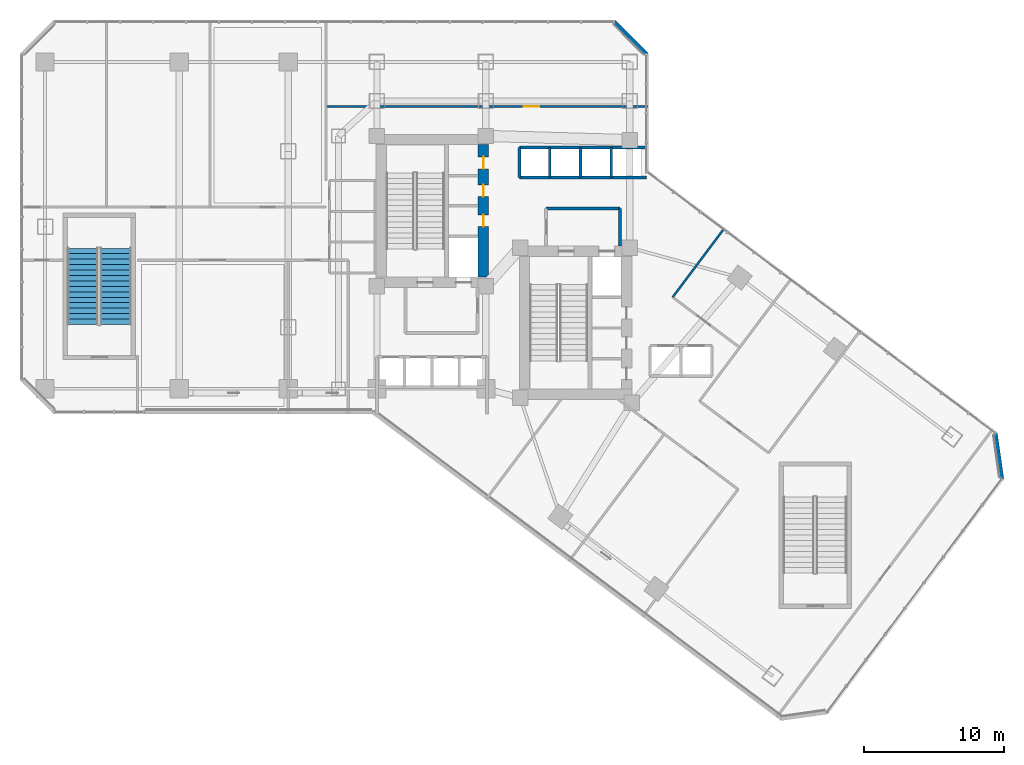
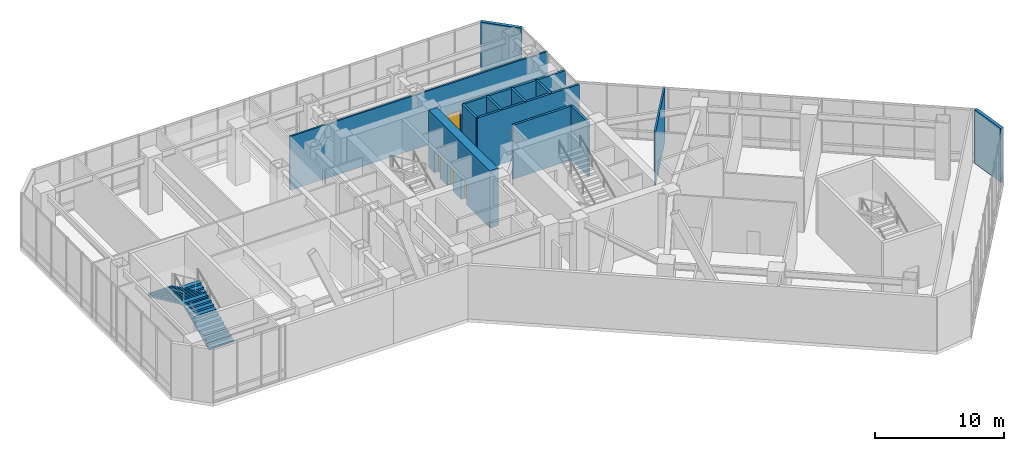
# One storey, part 29 of 35: 13 walls, 4 doors, 2 stair flights, 4 openings, 1 element without a shape of its own.
"""IFC4 building model written with IfcOpenShell, lengths in metres."""

import ifcopenshell
import ifcopenshell.guid

model = None  # the IFC model being written
_history = None  # IfcOwnerHistory: only IFC2X3 demands one
_inside = {}  # id of a spatial element -> (the spatial element, [elements in it])
_under = {}  # id of a project, library or spatial element -> (it, [spatial elements below it])
_declared = {}  # id of a project -> (the project, [libraries it declares])
_typed = {}  # id of a type object -> (the type object, [elements of that type])
_made_of = {}  # id of a material, layer set ... -> (it, [elements and type objects made of it])


def new_model(schema):
    """Start an empty IFC model of exactly this schema.

    Asked for "IFC4X3", IfcOpenShell would pick the latest addendum, in which some entities
    have other attributes; the version numbers below select the first issue.
    IFC2X3 requires an IfcOwnerHistory on every rooted entity: one is made here for all.
    """
    global model, _history
    if schema == "IFC4X3":
        model = ifcopenshell.file(schema_version=(4, 3, 0, 0))
    else:
        model = ifcopenshell.file(schema=schema)
    _inside.clear()
    _under.clear()
    _declared.clear()
    _typed.clear()
    _made_of.clear()
    _history = None
    if model.schema == "IFC2X3":
        org = make("IfcOrganization", Name="unknown")
        user = make(
            "IfcPersonAndOrganization",
            ThePerson=make("IfcPerson", FamilyName="unknown"),
            TheOrganization=org,
        )
        app = make(
            "IfcApplication",
            ApplicationDeveloper=org,
            Version="unknown",
            ApplicationFullName="unknown",
            ApplicationIdentifier="unknown",
        )
        _history = make(
            "IfcOwnerHistory",
            OwningUser=user,
            OwningApplication=app,
            ChangeAction="ADDED",
            CreationDate=0,
        )
    return model


def make(cls, **values):
    """One entity of the class cls with the attributes given. An attribute that is None is left unset."""
    return model.create_entity(
        cls, **{name: value for name, value in values.items() if value is not None}
    )


def rooted(cls, **values):
    """An entity with a GlobalId (a new one), such as an element, a storey or a relation."""
    return make(cls, GlobalId=ifcopenshell.guid.new(), OwnerHistory=_history, **values)


def si_unit(unit_type, name, prefix=None):
    """IfcSIUnit, for example si_unit("LENGTHUNIT", "METRE", prefix="MILLI")."""
    return make("IfcSIUnit", UnitType=unit_type, Prefix=prefix, Name=name)


def assignment(units):
    """IfcUnitAssignment: the units of a project."""
    return None if units is None else make("IfcUnitAssignment", Units=units)


def point(xyz):
    """IfcCartesianPoint."""
    return None if xyz is None else make("IfcCartesianPoint", Coordinates=xyz)


def direction(xyz):
    """IfcDirection."""
    return None if xyz is None else make("IfcDirection", DirectionRatios=xyz)


def frame(location, z_axis=None, x_axis=None):
    """IfcAxis2Placement3D, a coordinate frame: its origin and axes. An axis left out is left unset."""
    return make(
        "IfcAxis2Placement3D",
        Location=point(location),
        Axis=direction(z_axis),
        RefDirection=direction(x_axis),
    )


def frame_2d(location, x_axis=None):
    """IfcAxis2Placement2D, a coordinate frame in the plane: its origin and x axis."""
    return make(
        "IfcAxis2Placement2D", Location=point(location), RefDirection=direction(x_axis)
    )


def origin():
    """The frame at (0, 0, 0) with its axes left unset."""
    return frame((0.0, 0.0, 0.0))


def place(relative_to, where):
    """IfcLocalPlacement: puts the frame where relative to a parent placement (None: the world)."""
    return make(
        "IfcLocalPlacement", PlacementRelTo=relative_to, RelativePlacement=where
    )


def context(
    kind, dimensions, precision=None, world=None, true_north=None, identifier=None
):
    """IfcGeometricRepresentationContext, for example the 3D "Model" context."""
    return make(
        "IfcGeometricRepresentationContext",
        ContextIdentifier=identifier,
        ContextType=kind,
        CoordinateSpaceDimension=dimensions,
        Precision=precision,
        WorldCoordinateSystem=world,
        TrueNorth=true_north,
    )


def subcontext(parent, identifier, kind, view, scale=None):
    """IfcGeometricRepresentationSubContext, for example "Body" below "Model"."""
    return make(
        "IfcGeometricRepresentationSubContext",
        ContextIdentifier=identifier,
        ContextType=kind,
        ParentContext=parent,
        TargetScale=scale,
        TargetView=view,
    )


def project(units=None, contexts=None):
    """IfcProject with its units and contexts."""
    return rooted(
        "IfcProject",
        Name="project",
        RepresentationContexts=contexts,
        UnitsInContext=assignment(units),
    )


def spatial(cls, under=None, at=None, **own):
    """A site, building, storey or space (cls), placed at a placement, below another one or the project."""
    s = rooted(cls, ObjectPlacement=at, **own)
    if under is not None:
        _under.setdefault(under.id(), (under, []))[1].append(s)
    return s


def polyline(points):
    """IfcPolyline through the points."""
    return make("IfcPolyline", Points=[point(p) for p in points])


def profile(cls, at=None, kind="AREA", **sizes):
    """A parametric profile (cls). Its sizes go by their IFC names, for example OverallWidth=200.0."""
    return make(cls, ProfileType=kind, Position=at, **sizes)


def rectangle(**sizes):
    """IfcRectangleProfileDef."""
    return profile("IfcRectangleProfileDef", **sizes)


def outline(outer, holes=None, kind="AREA"):
    """IfcArbitraryClosedProfileDef: a profile drawn as a closed curve; with holes, ...WithVoids."""
    if holes is None:
        return make("IfcArbitraryClosedProfileDef", ProfileType=kind, OuterCurve=outer)
    return make(
        "IfcArbitraryProfileDefWithVoids",
        ProfileType=kind,
        OuterCurve=outer,
        InnerCurves=holes,
    )


def extrude(swept, where, along, depth):
    """IfcExtrudedAreaSolid: the profile swept, set in the frame where, extruded along a direction by depth."""
    return make(
        "IfcExtrudedAreaSolid",
        SweptArea=swept,
        Position=where,
        ExtrudedDirection=direction(along),
        Depth=depth,
    )


def shape(context_of_items, identifier, shape_type, items):
    """IfcShapeRepresentation: the items that make up one representation, for example the "Body"."""
    return make(
        "IfcShapeRepresentation",
        ContextOfItems=context_of_items,
        RepresentationIdentifier=identifier,
        RepresentationType=shape_type,
        Items=items,
    )


def material(Name=None, Category=None):
    """IfcMaterial."""
    return make("IfcMaterial", Name=Name, Category=Category)


def layer(
    of_material, thickness, ventilated=None, Name=None, Category=None, Priority=None
):
    """IfcMaterialLayer: one layer of a wall or slab, of a material (None: an air gap)."""
    return make(
        "IfcMaterialLayer",
        Material=of_material,
        LayerThickness=thickness,
        IsVentilated=ventilated,
        Name=Name,
        Category=Category,
        Priority=Priority,
    )


def layer_set(layers, Name=None):
    """IfcMaterialLayerSet."""
    return make("IfcMaterialLayerSet", MaterialLayers=layers, LayerSetName=Name)


def made_of(thing, what):
    """Note that an element or type object is made of a material, layer set ...; save() writes the relation."""
    if what is not None:
        _made_of.setdefault(what.id(), (what, []))[1].append(thing)
    return thing


def type_object(cls, material=None, **own):
    """A type object (cls), such as IfcWallType, which elements share."""
    return made_of(rooted(cls, **own), material)


def element(
    cls,
    number,
    at=None,
    inside=None,
    cuts=None,
    type_object=None,
    material=None,
    context=None,
    identifier="Body",
    shape_type=None,
    held_by="IfcProductDefinitionShape",
    body=None,
    shapes=None,
    **own,
):
    """One element of the class cls, such as IfcWall. Its Tag is "e" and its number.

    at: its placement. inside: the storey or other place that contains it. cuts: it is an
    opening in that element (IfcRelVoidsElement). A single representation is given by context,
    identifier, shape_type and body (its items); several are given by shapes. held_by: the class
    of the entity that holds the representations. save() writes the other relations.
    """
    e = rooted(cls, Tag="e%d" % number, ObjectPlacement=at, **own)
    if body is not None:
        shapes = [shape(context, identifier, shape_type, body)]
    if shapes is not None:
        e.Representation = make(held_by, Representations=shapes)
    if inside is not None:
        _inside.setdefault(inside.id(), (inside, []))[1].append(e)
    if cuts is not None:
        rooted(
            "IfcRelVoidsElement", RelatingBuildingElement=cuts, RelatedOpeningElement=e
        )
    if type_object is not None:
        _typed.setdefault(type_object.id(), (type_object, []))[1].append(e)
    return made_of(e, material)


def fill(opening, filler):
    """IfcRelFillsElement: the door or window that sits in an opening."""
    return rooted(
        "IfcRelFillsElement",
        RelatingOpeningElement=opening,
        RelatedBuildingElement=filler,
    )


def aggregate(whole, parts):
    """IfcRelAggregates: a whole, such as a stair, and the parts it consists of."""
    return rooted("IfcRelAggregates", RelatingObject=whole, RelatedObjects=parts)


def save(model, path):
    """Write the relations noted so far, then the file.

    IfcRelAggregates (storeys below a building ...), IfcRelContainedInSpatialStructure (elements
    in a storey), IfcRelDefinesByType, IfcRelAssociatesMaterial and IfcRelDeclares: one each for
    every whole, place, type object, material and project.
    """
    for whole, parts in _under.values():
        aggregate(whole, parts)
    for where, things in _inside.values():
        rooted(
            "IfcRelContainedInSpatialStructure",
            RelatedElements=things,
            RelatingStructure=where,
        )
    for kind, things in _typed.values():
        rooted("IfcRelDefinesByType", RelatedObjects=things, RelatingType=kind)
    for what, things in _made_of.values():
        rooted("IfcRelAssociatesMaterial", RelatedObjects=things, RelatingMaterial=what)
    for by, libraries in _declared.values():
        rooted("IfcRelDeclares", RelatingContext=by, RelatedDefinitions=libraries)
    model.write(path)


model = new_model("IFC4")

# Units and contexts
model_context = context("Model", 3, precision=1e-05, world=origin(), true_north=direction((0.0, 1.0)))
body_context = subcontext(model_context, "Body", "Model", "MODEL_VIEW")
ifc_project = project(units=[si_unit("LENGTHUNIT", "METRE"), si_unit("AREAUNIT", "SQUARE_METRE"), si_unit("VOLUMEUNIT", "CUBIC_METRE"), si_unit("PLANEANGLEUNIT", "RADIAN"), si_unit("MASSUNIT", "GRAM", prefix="KILO")], contexts=[model_context])

# Site, building, storey
site_placement = place(None, origin())
site = spatial("IfcSite", under=ifc_project, at=site_placement, CompositionType="ELEMENT")
building_placement = place(site_placement, origin())
building = spatial("IfcBuilding", under=site, at=building_placement, Name="Hatsunagi Terrace Concourse", CompositionType="ELEMENT")
storey_placement = place(building_placement, frame((0.0, 0.0, 10.800048828125)))
storey = spatial("IfcBuildingStorey", under=building, at=storey_placement, Name="L03", CompositionType="ELEMENT", Elevation=10.800048828125)

# Wall, openings, doors
ifc_material_1 = material(Name="Concrete Fc60", Category="concrete")
ifc_layer_1 = layer(ifc_material_1, 0.75)
ifc_layer_set_1 = layer_set([ifc_layer_1], Name="CoreShearWall_Fc60_750")
wall_type_1 = type_object("IfcWallType", Name="CoreShearWall_Fc60_750", PredefinedType="SHEAR", material=ifc_layer_set_1)
wall_1_placement = place(storey_placement, frame((33.175048828125, 33.18994140625, 0.0), z_axis=(0.0, 0.0, 1.0), x_axis=(0.0, 1.0, 0.0)))
wall_1 = element("IfcWall", 1, at=wall_1_placement, inside=storey, type_object=wall_type_1, Name="Core A Shear Wall E L03", PredefinedType="SHEAR", context=body_context, shape_type="SweptSolid", body=[
    extrude(rectangle(XDim=9.47998046875, YDim=0.75, at=frame_2d((4.739990234375, 0.0))), origin(), (0.0, 0.0, 1.0), 5.39990234375),
])
opening_1_placement = place(wall_1_placement, frame((3.610107421875, 0.0, 0.0)))
opening_1 = element("IfcOpeningElement", 2, at=opening_1_placement, cuts=wall_1, Name="Opening DR-085", PredefinedType="OPENING", context=body_context, shape_type="SweptSolid", body=[
    extrude(rectangle(XDim=0.85009765625, YDim=2.080078125, at=frame_2d((0.425048828125, 1.0400390625))), frame((0.0, 0.385009765625, 0.0), z_axis=(0.0, -1.0, 0.0), x_axis=(1.0, 0.0, 0.0)), (0.0, 0.0, 1.0), 0.77001953125),
])
opening_2_placement = place(wall_1_placement, frame((5.760009765625, 0.0, 0.0)))
opening_2 = element("IfcOpeningElement", 3, at=opening_2_placement, cuts=wall_1, Name="Opening DR-085", PredefinedType="OPENING", context=body_context, shape_type="SweptSolid", body=[
    extrude(rectangle(XDim=0.85009765625, YDim=2.080078125, at=frame_2d((0.425048828125, 1.0400390625))), frame((0.0, 0.385009765625, 0.0), z_axis=(0.0, -1.0, 0.0), x_axis=(1.0, 0.0, 0.0)), (0.0, 0.0, 1.0), 0.77001953125),
])
opening_3_placement = place(wall_1_placement, frame((7.760009765625, 0.0, 0.0)))
opening_3 = element("IfcOpeningElement", 4, at=opening_3_placement, cuts=wall_1, Name="Opening DR-085", PredefinedType="OPENING", context=body_context, shape_type="SweptSolid", body=[
    extrude(rectangle(XDim=0.85009765625, YDim=2.080078125, at=frame_2d((0.425048828125, 1.0400390625))), frame((0.0, 0.385009765625, 0.0), z_axis=(0.0, -1.0, 0.0), x_axis=(1.0, 0.0, 0.0)), (0.0, 0.0, 1.0), 0.77001953125),
])
ifc_material_2 = material(Name="Painted steel", Category="steel")
door_type_1 = type_object("IfcDoorType", Name="RiserAccessDoor_EI60_850", OperationType="NOTDEFINED", PredefinedType="DOOR", material=ifc_material_2)
door_1_placement = place(opening_1_placement, origin())
door_1 = element("IfcDoor", 5, at=door_1_placement, inside=storey, type_object=door_type_1, Name="Core A Riser Door L03-1", OperationType="SINGLE_SWING_LEFT", OverallHeight=2.080078125, OverallWidth=0.85009765625, PredefinedType="DOOR", context=body_context, shape_type="SweptSolid", body=[
    extrude(rectangle(XDim=0.85009765625, YDim=2.080078125, at=frame_2d((0.425048828125, 1.0400390625))), frame((0.0, 0.02490234375, 0.0), z_axis=(0.0, -1.0, 0.0), x_axis=(1.0, 0.0, 0.0)), (0.0, 0.0, 1.0), 0.050048828125),
])
fill(opening_1, door_1)
door_2_placement = place(opening_2_placement, origin())
door_2 = element("IfcDoor", 6, at=door_2_placement, inside=storey, type_object=door_type_1, Name="Core A Riser Door L03-2", OperationType="SINGLE_SWING_LEFT", OverallHeight=2.080078125, OverallWidth=0.85009765625, PredefinedType="DOOR", context=body_context, shape_type="SweptSolid", body=[
    extrude(rectangle(XDim=0.85009765625, YDim=2.080078125, at=frame_2d((0.425048828125, 1.0400390625))), frame((0.0, 0.02490234375, 0.0), z_axis=(0.0, -1.0, 0.0), x_axis=(1.0, 0.0, 0.0)), (0.0, 0.0, 1.0), 0.050048828125),
])
fill(opening_2, door_2)
door_3_placement = place(opening_3_placement, origin())
door_3 = element("IfcDoor", 7, at=door_3_placement, inside=storey, type_object=door_type_1, Name="Core A Riser Door L03-3", OperationType="SINGLE_SWING_LEFT", OverallHeight=2.080078125, OverallWidth=0.85009765625, PredefinedType="DOOR", context=body_context, shape_type="SweptSolid", body=[
    extrude(rectangle(XDim=0.85009765625, YDim=2.080078125, at=frame_2d((0.425048828125, 1.0400390625))), frame((0.0, 0.02490234375, 0.0), z_axis=(0.0, -1.0, 0.0), x_axis=(1.0, 0.0, 0.0)), (0.0, 0.0, 1.0), 0.050048828125),
])
fill(opening_3, door_3)

# Wall, opening, door
ifc_material_3 = material(Name="Acoustic mineral board", Category="gypsum")
ifc_layer_2 = layer(ifc_material_3, 0.14990234375)
ifc_layer_set_2 = layer_set([ifc_layer_2], Name="PartitionWall_EI60_150")
wall_type_2 = type_object("IfcWallType", Name="PartitionWall_EI60_150", PredefinedType="PARTITIONING", material=ifc_layer_set_2)
wall_2_placement = place(storey_placement, frame((21.89990234375, 45.39990234375, 0.0), z_axis=(0.0, 0.0, 1.0), x_axis=(1.0, 0.0, 0.0)))
wall_2 = element("IfcWall", 8, at=wall_2_placement, inside=storey, type_object=wall_type_2, Name="Interior Partition IW-L03-051", PredefinedType="PARTITIONING", context=body_context, shape_type="SweptSolid", body=[
    extrude(rectangle(XDim=23.06005859375, YDim=0.14990234375, at=frame_2d((11.530029296875, 0.0))), origin(), (0.0, 0.0, 1.0), 5.099853515625),
])
opening_4_placement = place(wall_2_placement, frame((14.159912109375, 0.0, 0.0)))
opening_4 = element("IfcOpeningElement", 9, at=opening_4_placement, cuts=wall_2, Name="Opening DR-110F", PredefinedType="OPENING", context=body_context, shape_type="SweptSolid", body=[
    extrude(rectangle(XDim=1.10009765625, YDim=2.239990234375, at=frame_2d((0.550048828125, 1.1201171875))), frame((0.0, 0.0849609375, 0.0), z_axis=(0.0, -1.0, 0.0), x_axis=(1.0, 0.0, 0.0)), (0.0, 0.0, 1.0), 0.169921875),
])
ifc_material_4 = material(Name="Painted steel", Category="steel")
door_type_2 = type_object("IfcDoorType", Name="FireDoor_EI60_1100", OperationType="NOTDEFINED", PredefinedType="DOOR", material=ifc_material_4)
door_4_placement = place(opening_4_placement, origin())
door_4 = element("IfcDoor", 10, at=door_4_placement, inside=storey, type_object=door_type_2, Name="Catering Pantry L03-P3CAT Door", OperationType="SINGLE_SWING_RIGHT", OverallHeight=2.239990234375, OverallWidth=1.10009765625, PredefinedType="DOOR", context=body_context, shape_type="SweptSolid", body=[
    extrude(rectangle(XDim=1.10009765625, YDim=2.239990234375, at=frame_2d((0.550048828125, 1.1201171875))), frame((0.0, 0.02490234375, 0.0), z_axis=(0.0, -1.0, 0.0), x_axis=(1.0, 0.0, 0.0)), (0.0, 0.0, 1.0), 0.050048828125),
])
fill(opening_4, door_4)

# Walls
wall_3_placement = place(storey_placement, frame((46.719970703125, 31.760009765625, 0.0), z_axis=(0.0, 0.0, 1.0), x_axis=(0.600006341286, 0.799995243996, 0.0)))
element("IfcWall", 11, at=wall_3_placement, inside=storey, type_object=wall_type_2, Name="Interior Partition IW-L03-060", PredefinedType="PARTITIONING", context=body_context, shape_type="SweptSolid", body=[
    extrude(rectangle(XDim=6.159912109375, YDim=0.14990234375, at=frame_2d((3.080078125, 0.0))), origin(), (0.0, 0.0, 1.0), 5.099853515625),
])
ifc_material_5 = material(Name="Acoustic mineral board", Category="gypsum")
ifc_layer_3 = layer(ifc_material_5, 0.199951171875)
ifc_layer_set_3 = layer_set([ifc_layer_3], Name="ShaftWall_EI120_200")
wall_type_3 = type_object("IfcWallType", Name="ShaftWall_EI120_200", PredefinedType="STANDARD", material=ifc_layer_set_3)
wall_4_placement = place(storey_placement, frame((37.64990234375, 38.10009765625, 0.0), z_axis=(0.0, 0.0, 1.0), x_axis=(1.0, 0.0, 0.0)))
element("IfcWall", 12, at=wall_4_placement, inside=storey, type_object=wall_type_3, Name="Interior Partition IW-L03-010", PredefinedType="STANDARD", context=body_context, shape_type="SweptSolid", body=[
    extrude(rectangle(XDim=5.300048828125, YDim=0.199951171875, at=frame_2d((2.64990234375, 0.0))), origin(), (0.0, 0.0, 1.0), 5.099853515625),
])
wall_5_placement = place(storey_placement, frame((42.949951171875, 35.419921875, 0.0), z_axis=(0.0, 0.0, 1.0), x_axis=(0.0, 1.0, 0.0)))
element("IfcWall", 13, at=wall_5_placement, inside=storey, type_object=wall_type_3, Name="Interior Partition IW-L03-011", PredefinedType="STANDARD", context=body_context, shape_type="SweptSolid", body=[
    extrude(rectangle(XDim=2.68017578125, YDim=0.199951171875, at=frame_2d((1.340087890625, 0.0))), origin(), (0.0, 0.0, 1.0), 5.099853515625),
])
wall_6_placement = place(storey_placement, frame((35.75, 42.47998046875, 0.0), z_axis=(0.0, 0.0, 1.0), x_axis=(1.0, 0.0, 0.0)))
element("IfcWall", 14, at=wall_6_placement, inside=storey, type_object=wall_type_3, Name="Interior Partition IW-L03-020", PredefinedType="STANDARD", context=body_context, shape_type="SweptSolid", body=[
    extrude(rectangle(XDim=9.110107421875, YDim=0.199951171875, at=frame_2d((4.55517578125, 0.0))), origin(), (0.0, 0.0, 1.0), 5.099853515625),
])
for number, where, z_axis, x_axis, name in (
    (15, (35.75, 40.320068359375, 0.0), (0.0, 0.0, 1.0), (0.0, 1.0, 0.0), "Interior Partition IW-L03-021"),
    (16, (37.919921875, 40.320068359375, 0.0), (0.0, 0.0, 1.0), (0.0, 1.0, 0.0), "Interior Partition IW-L03-022"),
    (17, (40.1201171875, 40.320068359375, 0.0), (0.0, 0.0, 1.0), (0.0, 1.0, 0.0), "Interior Partition IW-L03-023"),
    (18, (42.320068359375, 40.320068359375, 0.0), (0.0, 0.0, 1.0), (0.0, 1.0, 0.0), "Interior Partition IW-L03-024"),
):
    element("IfcWall", number, at=place(storey_placement, frame(where, z_axis=z_axis, x_axis=x_axis)), inside=storey, type_object=wall_type_3, Name=name, PredefinedType="STANDARD", context=body_context, shape_type="SweptSolid", body=[
        extrude(rectangle(XDim=2.159912109375, YDim=0.199951171875, at=frame_2d((1.080078125, 0.0))), origin(), (0.0, 0.0, 1.0), 5.099853515625),
    ])
wall_7_placement = place(storey_placement, frame((35.75, 40.320068359375, 0.0), z_axis=(0.0, 0.0, 1.0), x_axis=(1.0, 0.0, 0.0)))
element("IfcWall", 19, at=wall_7_placement, inside=storey, type_object=wall_type_3, Name="Interior Partition IW-L03-025", PredefinedType="STANDARD", context=body_context, shape_type="SweptSolid", body=[
    extrude(rectangle(XDim=9.110107421875, YDim=0.199951171875, at=frame_2d((4.55517578125, 0.0))), origin(), (0.0, 0.0, 1.0), 5.099853515625),
])
ifc_material_6 = material(Name="Autoclaved Lightweight Concrete and Terracotta Cladding", Category="masonry")
ifc_layer_4 = layer(ifc_material_6, 0.280029296875)
ifc_layer_set_4 = layer_set([ifc_layer_4], Name="TerracottaSpandrelWall_280")
wall_type_4 = type_object("IfcWallType", Name="TerracottaSpandrelWall_280", PredefinedType="STANDARD", material=ifc_layer_set_4)
wall_8_placement = place(storey_placement, frame((69.830078125, 22.0029296875, 0.0), z_axis=(0.0, 0.0, 1.0), x_axis=(0.141223223777, -0.989977778067, 0.0)))
element("IfcWall", 20, at=wall_8_placement, inside=storey, type_object=wall_type_4, Name="Exterior Spandrel Wall EW-L03-02", PredefinedType="STANDARD", context=body_context, shape_type="SweptSolid", body=[
    extrude(rectangle(XDim=3.27783203125, YDim=0.280029296875, at=frame_2d((1.638916015625, 0.0))), origin(), (0.0, 0.0, 1.0), 5.099853515625),
])
wall_9_placement = place(storey_placement, frame((42.5419921875, 51.4599609375, 0.0), z_axis=(0.0, 0.0, 1.0), x_axis=(0.707144017911, -0.707069542501, 0.0)))
element("IfcWall", 21, at=wall_9_placement, inside=storey, type_object=wall_type_4, Name="Exterior Spandrel Wall EW-L03-13", PredefinedType="STANDARD", context=body_context, shape_type="SweptSolid", body=[
    extrude(rectangle(XDim=3.278076171875, YDim=0.280029296875, at=frame_2d((1.63916015625, 0.0))), origin(), (0.0, 0.0, 1.0), 5.099853515625),
])

# Stair, stair flights
ifc_material_7 = material(Name="Concrete Fc42", Category="concrete")
stair_type = type_object("IfcStairType", Name="DoglegExitStair_Podium2200_30R_180", PredefinedType="HALF_TURN_STAIR", material=ifc_material_7)
stair_placement = place(storey_placement, origin())
stair = element("IfcStair", 22, at=stair_placement, inside=storey, type_object=stair_type, Name="L03 West Podium Convention Exit Stair ST-P1", PredefinedType="HALF_TURN_STAIR")
ifc_material_8 = material(Name="Concrete Fc42", Category="concrete")
stair_flight_type = type_object("IfcStairFlightType", Name="DoglegStairFlight_Podium2200_30R_180", PredefinedType="STRAIGHT", material=ifc_material_8)
stair_flight_1_placement = place(storey_placement, frame((6.85009765625, 29.800048828125, 0.0), z_axis=(0.0, 0.0, 1.0), x_axis=(0.0, 1.0, 0.0)))
stair_flight_1 = element("IfcStairFlight", 23, at=stair_flight_1_placement, type_object=stair_flight_type, Name="ST-P1 flight 1", NumberOfRisers=15, NumberOfTreads=14, PredefinedType="STRAIGHT", RiserHeight=0.18, TreadLength=0.39, context=body_context, shape_type="SweptSolid", body=[
    extrude(outline(polyline([(0.0, 0.0), (0.0, 0.179931640625), (0.389892578125, 0.179931640625), (0.389892578125, 0.360107421875), (0.780029296875, 0.360107421875), (0.780029296875, 0.5400390625), (1.169921875, 0.5400390625), (1.169921875, 0.719970703125), (1.56005859375, 0.719970703125), (1.56005859375, 0.89990234375), (1.949951171875, 0.89990234375), (1.949951171875, 1.080078125), (2.340087890625, 1.080078125), (2.340087890625, 1.260009765625), (2.72998046875, 1.260009765625), (2.72998046875, 1.43994140625), (3.1201171875, 1.43994140625), (3.1201171875, 1.6201171875), (3.510009765625, 1.6201171875), (3.510009765625, 1.800048828125), (3.89990234375, 1.800048828125), (3.89990234375, 1.97998046875), (4.2900390625, 1.97998046875), (4.2900390625, 2.159912109375), (4.679931640625, 2.159912109375), (4.679931640625, 2.340087890625), (5.070068359375, 2.340087890625), (5.070068359375, 2.52001953125), (5.4599609375, 2.52001953125), (5.4599609375, 2.699951171875), (5.4599609375, 2.35498046875), (0.357666015625, 0.0), (0.0, 0.0)])), frame((0.0, 1.10009765625, 0.0), z_axis=(0.0, -1.0, 0.0), x_axis=(1.0, 0.0, 0.0)), (0.0, 0.0, 1.0), 2.199951171875),
])
stair_flight_2_placement = place(storey_placement, frame((4.5, 35.260009765625, 2.699951171875), z_axis=(0.0, 0.0, 1.0), x_axis=(0.0, -1.0, 0.0)))
stair_flight_2 = element("IfcStairFlight", 24, at=stair_flight_2_placement, type_object=stair_flight_type, Name="ST-P1 flight 2", NumberOfRisers=15, NumberOfTreads=14, PredefinedType="STRAIGHT", RiserHeight=0.18, TreadLength=0.39, context=body_context, shape_type="SweptSolid", body=[
    extrude(outline(polyline([(0.0, 0.0), (0.0, 0.179931640625), (0.389892578125, 0.179931640625), (0.389892578125, 0.360107421875), (0.780029296875, 0.360107421875), (0.780029296875, 0.5400390625), (1.169921875, 0.5400390625), (1.169921875, 0.719970703125), (1.56005859375, 0.719970703125), (1.56005859375, 0.89990234375), (1.949951171875, 0.89990234375), (1.949951171875, 1.080078125), (2.340087890625, 1.080078125), (2.340087890625, 1.260009765625), (2.72998046875, 1.260009765625), (2.72998046875, 1.43994140625), (3.1201171875, 1.43994140625), (3.1201171875, 1.6201171875), (3.510009765625, 1.6201171875), (3.510009765625, 1.800048828125), (3.89990234375, 1.800048828125), (3.89990234375, 1.97998046875), (4.2900390625, 1.97998046875), (4.2900390625, 2.159912109375), (4.679931640625, 2.159912109375), (4.679931640625, 2.340087890625), (5.070068359375, 2.340087890625), (5.070068359375, 2.52001953125), (5.4599609375, 2.52001953125), (5.4599609375, 2.699951171875), (5.4599609375, 2.35498046875), (0.357666015625, 0.0), (0.0, 0.0)])), frame((0.0, 1.10009765625, 0.0), z_axis=(0.0, -1.0, 0.0), x_axis=(1.0, 0.0, 0.0)), (0.0, 0.0, 1.0), 2.199951171875),
])
aggregate(stair, [stair_flight_1, stair_flight_2])

save(model, "model.ifc")
